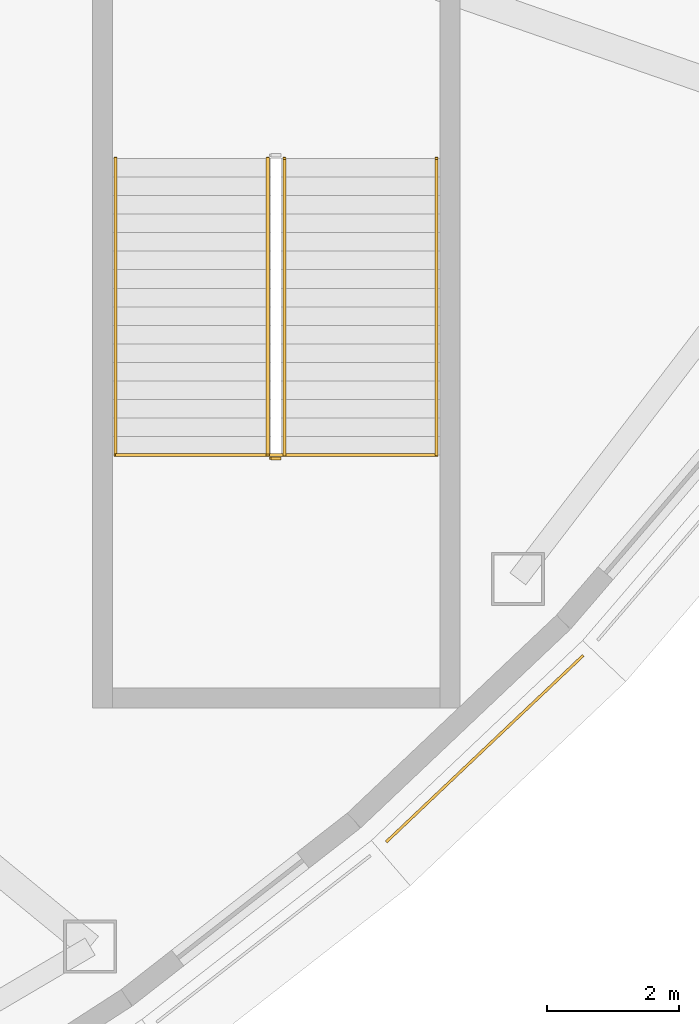
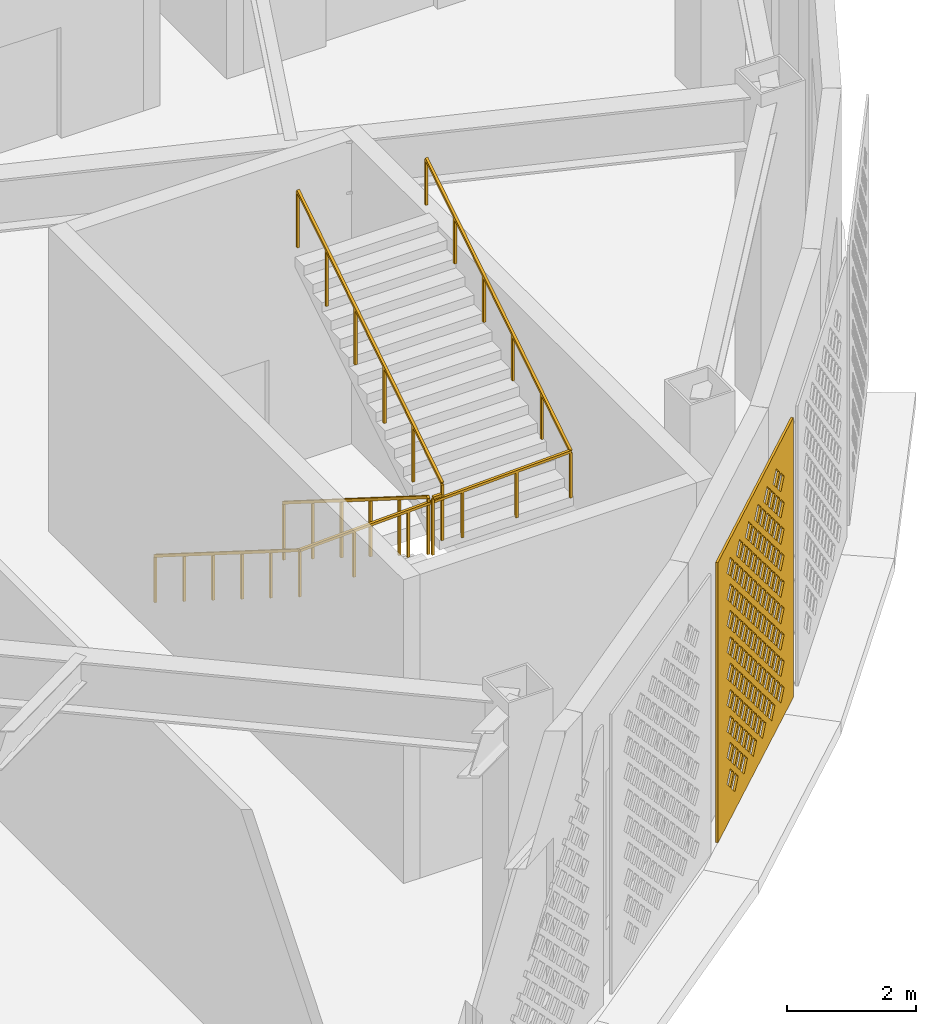
# One storey, part 70 of 74: 4 railings, 1 covering.
"""IFC4 building model written with IfcOpenShell, lengths in metres."""

import ifcopenshell
import ifcopenshell.guid

model = None  # the IFC model being written
_history = None  # IfcOwnerHistory: only IFC2X3 demands one
_inside = {}  # id of a spatial element -> (the spatial element, [elements in it])
_under = {}  # id of a project, library or spatial element -> (it, [spatial elements below it])
_declared = {}  # id of a project -> (the project, [libraries it declares])
_typed = {}  # id of a type object -> (the type object, [elements of that type])
_made_of = {}  # id of a material, layer set ... -> (it, [elements and type objects made of it])


def new_model(schema):
    """Start an empty IFC model of exactly this schema.

    Asked for "IFC4X3", IfcOpenShell would pick the latest addendum, in which some entities
    have other attributes; the version numbers below select the first issue.
    IFC2X3 requires an IfcOwnerHistory on every rooted entity: one is made here for all.
    """
    global model, _history
    if schema == "IFC4X3":
        model = ifcopenshell.file(schema_version=(4, 3, 0, 0))
    else:
        model = ifcopenshell.file(schema=schema)
    _inside.clear()
    _under.clear()
    _declared.clear()
    _typed.clear()
    _made_of.clear()
    _history = None
    if model.schema == "IFC2X3":
        org = make("IfcOrganization", Name="unknown")
        user = make(
            "IfcPersonAndOrganization",
            ThePerson=make("IfcPerson", FamilyName="unknown"),
            TheOrganization=org,
        )
        app = make(
            "IfcApplication",
            ApplicationDeveloper=org,
            Version="unknown",
            ApplicationFullName="unknown",
            ApplicationIdentifier="unknown",
        )
        _history = make(
            "IfcOwnerHistory",
            OwningUser=user,
            OwningApplication=app,
            ChangeAction="ADDED",
            CreationDate=0,
        )
    return model


def make(cls, **values):
    """One entity of the class cls with the attributes given. An attribute that is None is left unset."""
    return model.create_entity(
        cls, **{name: value for name, value in values.items() if value is not None}
    )


def rooted(cls, **values):
    """An entity with a GlobalId (a new one), such as an element, a storey or a relation."""
    return make(cls, GlobalId=ifcopenshell.guid.new(), OwnerHistory=_history, **values)


def si_unit(unit_type, name, prefix=None):
    """IfcSIUnit, for example si_unit("LENGTHUNIT", "METRE", prefix="MILLI")."""
    return make("IfcSIUnit", UnitType=unit_type, Prefix=prefix, Name=name)


def assignment(units):
    """IfcUnitAssignment: the units of a project."""
    return None if units is None else make("IfcUnitAssignment", Units=units)


def point(xyz):
    """IfcCartesianPoint."""
    return None if xyz is None else make("IfcCartesianPoint", Coordinates=xyz)


def direction(xyz):
    """IfcDirection."""
    return None if xyz is None else make("IfcDirection", DirectionRatios=xyz)


def frame(location, z_axis=None, x_axis=None):
    """IfcAxis2Placement3D, a coordinate frame: its origin and axes. An axis left out is left unset."""
    return make(
        "IfcAxis2Placement3D",
        Location=point(location),
        Axis=direction(z_axis),
        RefDirection=direction(x_axis),
    )


def frame_2d(location, x_axis=None):
    """IfcAxis2Placement2D, a coordinate frame in the plane: its origin and x axis."""
    return make(
        "IfcAxis2Placement2D", Location=point(location), RefDirection=direction(x_axis)
    )


def origin():
    """The frame at (0, 0, 0) with its axes left unset."""
    return frame((0.0, 0.0, 0.0))


def origin_2d():
    """The frame at (0, 0) in the plane with its x axis left unset."""
    return frame_2d((0.0, 0.0))


def place(relative_to, where):
    """IfcLocalPlacement: puts the frame where relative to a parent placement (None: the world)."""
    return make(
        "IfcLocalPlacement", PlacementRelTo=relative_to, RelativePlacement=where
    )


def context(
    kind, dimensions, precision=None, world=None, true_north=None, identifier=None
):
    """IfcGeometricRepresentationContext, for example the 3D "Model" context."""
    return make(
        "IfcGeometricRepresentationContext",
        ContextIdentifier=identifier,
        ContextType=kind,
        CoordinateSpaceDimension=dimensions,
        Precision=precision,
        WorldCoordinateSystem=world,
        TrueNorth=true_north,
    )


def subcontext(parent, identifier, kind, view, scale=None):
    """IfcGeometricRepresentationSubContext, for example "Body" below "Model"."""
    return make(
        "IfcGeometricRepresentationSubContext",
        ContextIdentifier=identifier,
        ContextType=kind,
        ParentContext=parent,
        TargetScale=scale,
        TargetView=view,
    )


def project(units=None, contexts=None):
    """IfcProject with its units and contexts."""
    return rooted(
        "IfcProject",
        Name="project",
        RepresentationContexts=contexts,
        UnitsInContext=assignment(units),
    )


def spatial(cls, under=None, at=None, **own):
    """A site, building, storey or space (cls), placed at a placement, below another one or the project."""
    s = rooted(cls, ObjectPlacement=at, **own)
    if under is not None:
        _under.setdefault(under.id(), (under, []))[1].append(s)
    return s


def polyline(points):
    """IfcPolyline through the points."""
    return make("IfcPolyline", Points=[point(p) for p in points])


def profile(cls, at=None, kind="AREA", **sizes):
    """A parametric profile (cls). Its sizes go by their IFC names, for example OverallWidth=200.0."""
    return make(cls, ProfileType=kind, Position=at, **sizes)


def rectangle(**sizes):
    """IfcRectangleProfileDef."""
    return profile("IfcRectangleProfileDef", **sizes)


def outline(outer, holes=None, kind="AREA"):
    """IfcArbitraryClosedProfileDef: a profile drawn as a closed curve; with holes, ...WithVoids."""
    if holes is None:
        return make("IfcArbitraryClosedProfileDef", ProfileType=kind, OuterCurve=outer)
    return make(
        "IfcArbitraryProfileDefWithVoids",
        ProfileType=kind,
        OuterCurve=outer,
        InnerCurves=holes,
    )


def extrude(swept, where, along, depth):
    """IfcExtrudedAreaSolid: the profile swept, set in the frame where, extruded along a direction by depth."""
    return make(
        "IfcExtrudedAreaSolid",
        SweptArea=swept,
        Position=where,
        ExtrudedDirection=direction(along),
        Depth=depth,
    )


def shape(context_of_items, identifier, shape_type, items):
    """IfcShapeRepresentation: the items that make up one representation, for example the "Body"."""
    return make(
        "IfcShapeRepresentation",
        ContextOfItems=context_of_items,
        RepresentationIdentifier=identifier,
        RepresentationType=shape_type,
        Items=items,
    )


def material(Name=None, Category=None):
    """IfcMaterial."""
    return make("IfcMaterial", Name=Name, Category=Category)


def layer(
    of_material, thickness, ventilated=None, Name=None, Category=None, Priority=None
):
    """IfcMaterialLayer: one layer of a wall or slab, of a material (None: an air gap)."""
    return make(
        "IfcMaterialLayer",
        Material=of_material,
        LayerThickness=thickness,
        IsVentilated=ventilated,
        Name=Name,
        Category=Category,
        Priority=Priority,
    )


def layer_set(layers, Name=None):
    """IfcMaterialLayerSet."""
    return make("IfcMaterialLayerSet", MaterialLayers=layers, LayerSetName=Name)


def made_of(thing, what):
    """Note that an element or type object is made of a material, layer set ...; save() writes the relation."""
    if what is not None:
        _made_of.setdefault(what.id(), (what, []))[1].append(thing)
    return thing


def type_object(cls, material=None, **own):
    """A type object (cls), such as IfcWallType, which elements share."""
    return made_of(rooted(cls, **own), material)


def element(
    cls,
    number,
    at=None,
    inside=None,
    cuts=None,
    type_object=None,
    material=None,
    context=None,
    identifier="Body",
    shape_type=None,
    held_by="IfcProductDefinitionShape",
    body=None,
    shapes=None,
    **own,
):
    """One element of the class cls, such as IfcWall. Its Tag is "e" and its number.

    at: its placement. inside: the storey or other place that contains it. cuts: it is an
    opening in that element (IfcRelVoidsElement). A single representation is given by context,
    identifier, shape_type and body (its items); several are given by shapes. held_by: the class
    of the entity that holds the representations. save() writes the other relations.
    """
    e = rooted(cls, Tag="e%d" % number, ObjectPlacement=at, **own)
    if body is not None:
        shapes = [shape(context, identifier, shape_type, body)]
    if shapes is not None:
        e.Representation = make(held_by, Representations=shapes)
    if inside is not None:
        _inside.setdefault(inside.id(), (inside, []))[1].append(e)
    if cuts is not None:
        rooted(
            "IfcRelVoidsElement", RelatingBuildingElement=cuts, RelatedOpeningElement=e
        )
    if type_object is not None:
        _typed.setdefault(type_object.id(), (type_object, []))[1].append(e)
    return made_of(e, material)


def aggregate(whole, parts):
    """IfcRelAggregates: a whole, such as a stair, and the parts it consists of."""
    return rooted("IfcRelAggregates", RelatingObject=whole, RelatedObjects=parts)


def save(model, path):
    """Write the relations noted so far, then the file.

    IfcRelAggregates (storeys below a building ...), IfcRelContainedInSpatialStructure (elements
    in a storey), IfcRelDefinesByType, IfcRelAssociatesMaterial and IfcRelDeclares: one each for
    every whole, place, type object, material and project.
    """
    for whole, parts in _under.values():
        aggregate(whole, parts)
    for where, things in _inside.values():
        rooted(
            "IfcRelContainedInSpatialStructure",
            RelatedElements=things,
            RelatingStructure=where,
        )
    for kind, things in _typed.values():
        rooted("IfcRelDefinesByType", RelatedObjects=things, RelatingType=kind)
    for what, things in _made_of.values():
        rooted("IfcRelAssociatesMaterial", RelatedObjects=things, RelatingMaterial=what)
    for by, libraries in _declared.values():
        rooted("IfcRelDeclares", RelatingContext=by, RelatedDefinitions=libraries)
    model.write(path)


model = new_model("IFC4")

# Units and contexts
model_context = context("Model", 3, precision=1e-05, world=origin(), true_north=direction((0.0, 1.0)))
body_context = subcontext(model_context, "Body", "Model", "MODEL_VIEW")
ifc_project = project(units=[si_unit("LENGTHUNIT", "METRE"), si_unit("AREAUNIT", "SQUARE_METRE"), si_unit("VOLUMEUNIT", "CUBIC_METRE"), si_unit("PLANEANGLEUNIT", "RADIAN"), si_unit("MASSUNIT", "GRAM", prefix="KILO")], contexts=[model_context])

# Site, building, storey
site_placement = place(None, origin())
site = spatial("IfcSite", under=ifc_project, at=site_placement, CompositionType="ELEMENT")
building_placement = place(site_placement, origin())
building = spatial("IfcBuilding", under=site, at=building_placement, Name="Noorbagh Ring Tower", CompositionType="ELEMENT")
storey_placement = place(building_placement, frame((0.0, 0.0, 13.5)))
storey = spatial("IfcBuildingStorey", under=building, at=storey_placement, Name="L02", CompositionType="ELEMENT", Elevation=13.5)

# Railings
ifc_material_1 = material(Name="Stainless steel", Category="steel")
railing_type_1 = type_object("IfcRailingType", Name="GND-STAIR-GUARD", PredefinedType="GUARDRAIL", material=ifc_material_1)
railing_1_placement = place(storey_placement, frame((37.14990234375, -16.39990234375, 0.176513671875)))
element("IfcRailing", 1, at=railing_1_placement, inside=storey, type_object=railing_type_1, Name="L02 ST-P6 stair guard", PredefinedType="GUARDRAIL", context=body_context, shape_type="SweptSolid", body=[
    extrude(rectangle(XDim=0.048095703125, YDim=0.048095703125, at=origin_2d()), frame((0.0, 0.0, 1.076171875), z_axis=(0.0, -0.845997938375, 0.533186166611), x_axis=(1.0, 0.0, 0.0)), (0.0, 0.0, 1.0), 5.29541015625),
    extrude(rectangle(XDim=0.0419921875, YDim=0.0419921875, at=origin_2d()), origin(), (0.0, 0.0, 1.0), 1.052001953125),
    extrude(rectangle(XDim=0.0419921875, YDim=0.0419921875, at=origin_2d()), frame((0.0, -0.89599609375, 0.564697265625)), (0.0, 0.0, 1.0), 1.052001953125),
    extrude(rectangle(XDim=0.0419921875, YDim=0.0419921875, at=origin_2d()), frame((0.0, -1.7919921875, 1.12939453125)), (0.0, 0.0, 1.0), 1.052001953125),
    extrude(rectangle(XDim=0.0419921875, YDim=0.0419921875, at=origin_2d()), frame((0.0, -2.68798828125, 1.694091796875)), (0.0, 0.0, 1.0), 1.052001953125),
    extrude(rectangle(XDim=0.0419921875, YDim=0.0419921875, at=origin_2d()), frame((0.0, -3.583984375, 2.2587890625)), (0.0, 0.0, 1.0), 1.052001953125),
    extrude(rectangle(XDim=0.0419921875, YDim=0.0419921875, at=origin_2d()), frame((0.0, -4.47998046875, 2.823486328125)), (0.0, 0.0, 1.0), 1.052001953125),
])
railing_2_placement = place(storey_placement, frame((37.199951171875, -20.929931640625, 3.0)))
element("IfcRailing", 2, at=railing_2_placement, inside=storey, type_object=railing_type_1, Name="L02 ST-P6 stair guard", PredefinedType="GUARDRAIL", context=body_context, shape_type="SweptSolid", body=[
    extrude(rectangle(XDim=0.048095703125, YDim=0.048095703125, at=origin_2d()), frame((0.0, 0.0, 1.076171875), z_axis=(1.0, 0.0, 0.0), x_axis=(0.0, 1.0, 0.0)), (0.0, 0.0, 1.0), 0.150146484375),
    extrude(rectangle(XDim=0.0419921875, YDim=0.0419921875, at=origin_2d()), origin(), (0.0, 0.0, 1.0), 1.052001953125),
])
railing_3_placement = place(storey_placement, frame((37.39990234375, -20.8798828125, 3.176513671875)))
element("IfcRailing", 3, at=railing_3_placement, inside=storey, type_object=railing_type_1, Name="L02 ST-P6 stair guard", PredefinedType="GUARDRAIL", context=body_context, shape_type="SweptSolid", body=[
    extrude(rectangle(XDim=0.048095703125, YDim=0.048095703125, at=origin_2d()), frame((0.0, 0.0, 1.076171875), z_axis=(0.0, 0.845997938375, 0.533186166611), x_axis=(-1.0, 0.0, 0.0)), (0.0, 0.0, 1.0), 5.29541015625),
    extrude(rectangle(XDim=0.0419921875, YDim=0.0419921875, at=origin_2d()), origin(), (0.0, 0.0, 1.0), 1.052001953125),
    extrude(rectangle(XDim=0.0419921875, YDim=0.0419921875, at=origin_2d()), frame((0.0, 0.89599609375, 0.564697265625)), (0.0, 0.0, 1.0), 1.052001953125),
    extrude(rectangle(XDim=0.0419921875, YDim=0.0419921875, at=origin_2d()), frame((0.0, 1.7919921875, 1.12939453125)), (0.0, 0.0, 1.0), 1.052001953125),
    extrude(rectangle(XDim=0.0419921875, YDim=0.0419921875, at=origin_2d()), frame((0.0, 2.68798828125, 1.694091796875)), (0.0, 0.0, 1.0), 1.052001953125),
    extrude(rectangle(XDim=0.0419921875, YDim=0.0419921875, at=origin_2d()), frame((0.0, 3.583984375, 2.2587890625)), (0.0, 0.0, 1.0), 1.052001953125),
    extrude(rectangle(XDim=0.0419921875, YDim=0.0419921875, at=origin_2d()), frame((0.0, 4.47998046875, 2.823486328125)), (0.0, 0.0, 1.0), 1.052001953125),
])
ifc_material_2 = material(Name="Stainless steel", Category="steel")
railing_type_2 = type_object("IfcRailingType", Name="GND-STAIR-HANDRAIL", PredefinedType="HANDRAIL", material=ifc_material_2)
railing_4_placement = place(storey_placement, frame((34.85009765625, -16.39990234375, 0.176513671875)))
element("IfcRailing", 4, at=railing_4_placement, inside=storey, type_object=railing_type_2, Name="L02 ST-P6 stair handrail", PredefinedType="HANDRAIL", context=body_context, shape_type="SweptSolid", body=[
    extrude(rectangle(XDim=0.048095703125, YDim=0.048095703125, at=origin_2d()), frame((0.0, 0.0, 0.8759765625), z_axis=(0.0, -0.845997938375, 0.533186166611), x_axis=(1.0, 0.0, 0.0)), (0.0, 0.0, 1.0), 5.29541015625),
    extrude(rectangle(XDim=0.048095703125, YDim=0.048095703125, at=origin_2d()), frame((0.0, -4.47998046875, 3.69921875), z_axis=(0.999338334855, 0.0, 0.036371589031), x_axis=(0.0, 1.0, 0.0)), (0.0, 0.0, 1.0), 4.85302734375),
    extrude(rectangle(XDim=0.048095703125, YDim=0.048095703125, at=origin_2d()), frame((4.849853515625, -4.47998046875, 3.8759765625), z_axis=(0.0, 0.845997938375, 0.533186166611), x_axis=(-1.0, 0.0, 0.0)), (0.0, 0.0, 1.0), 5.29541015625),
    extrude(rectangle(XDim=0.0419921875, YDim=0.0419921875, at=origin_2d()), origin(), (0.0, 0.0, 1.0), 0.851806640625),
    extrude(rectangle(XDim=0.0419921875, YDim=0.0419921875, at=origin_2d()), frame((0.0, -0.89599609375, 0.564697265625)), (0.0, 0.0, 1.0), 0.851806640625),
    extrude(rectangle(XDim=0.0419921875, YDim=0.0419921875, at=origin_2d()), frame((0.0, -1.7919921875, 1.12939453125)), (0.0, 0.0, 1.0), 0.851806640625),
    extrude(rectangle(XDim=0.0419921875, YDim=0.0419921875, at=origin_2d()), frame((0.0, -2.68798828125, 1.694091796875)), (0.0, 0.0, 1.0), 0.851806640625),
    extrude(rectangle(XDim=0.0419921875, YDim=0.0419921875, at=origin_2d()), frame((0.0, -3.583984375, 2.2587890625)), (0.0, 0.0, 1.0), 0.851806640625),
    extrude(rectangle(XDim=0.0419921875, YDim=0.0419921875, at=origin_2d()), frame((0.0, -4.47998046875, 2.823486328125)), (0.0, 0.0, 1.0), 0.851806640625),
    extrude(rectangle(XDim=0.0419921875, YDim=0.0419921875, at=origin_2d()), frame((0.969970703125, -4.47998046875, 2.85888671875)), (0.0, 0.0, 1.0), 0.851806640625),
    extrude(rectangle(XDim=0.0419921875, YDim=0.0419921875, at=origin_2d()), frame((1.93994140625, -4.47998046875, 2.89404296875)), (0.0, 0.0, 1.0), 0.851806640625),
    extrude(rectangle(XDim=0.0419921875, YDim=0.0419921875, at=origin_2d()), frame((2.909912109375, -4.47998046875, 2.929443359375)), (0.0, 0.0, 1.0), 0.851806640625),
    extrude(rectangle(XDim=0.0419921875, YDim=0.0419921875, at=origin_2d()), frame((3.8798828125, -4.47998046875, 2.964599609375)), (0.0, 0.0, 1.0), 0.851806640625),
    extrude(rectangle(XDim=0.0419921875, YDim=0.0419921875, at=origin_2d()), frame((4.849853515625, -4.47998046875, 3.0)), (0.0, 0.0, 1.0), 0.851806640625),
    extrude(rectangle(XDim=0.0419921875, YDim=0.0419921875, at=origin_2d()), frame((4.849853515625, -3.583984375, 3.564697265625)), (0.0, 0.0, 1.0), 0.851806640625),
    extrude(rectangle(XDim=0.0419921875, YDim=0.0419921875, at=origin_2d()), frame((4.849853515625, -2.68798828125, 4.12939453125)), (0.0, 0.0, 1.0), 0.851806640625),
    extrude(rectangle(XDim=0.0419921875, YDim=0.0419921875, at=origin_2d()), frame((4.849853515625, -1.7919921875, 4.694091796875)), (0.0, 0.0, 1.0), 0.851806640625),
    extrude(rectangle(XDim=0.0419921875, YDim=0.0419921875, at=origin_2d()), frame((4.849853515625, -0.89599609375, 5.2587890625)), (0.0, 0.0, 1.0), 0.851806640625),
    extrude(rectangle(XDim=0.0419921875, YDim=0.0419921875, at=origin_2d()), frame((4.849853515625, 0.0, 5.823486328125)), (0.0, 0.0, 1.0), 0.851806640625),
])

# Covering
ifc_material_3 = material(Name="Red sandstone jali", Category="masonry")
ifc_layer = layer(ifc_material_3, 0.0400390625)
ifc_layer_set = layer_set([ifc_layer], Name="Red sandstone jali")
covering_type = type_object("IfcCoveringType", Name="STY-JALI", PredefinedType="USERDEFINED", material=ifc_layer_set)
covering_placement = place(storey_placement, frame((38.953857421875, -26.739501953125, 0.449951171875), z_axis=(0.687531349275, -0.726154696855, 0.0), x_axis=(0.726154696855, 0.687531349275, 0.0)))
element("IfcCovering", 5, at=covering_placement, inside=storey, type_object=covering_type, Name="Jali screen", ObjectType="SCREEN", PredefinedType="USERDEFINED", context=body_context, shape_type="SweptSolid", body=[
    extrude(outline(polyline([(0.0, 0.0), (4.095947265625, 0.0), (4.095947265625, 5.300048828125), (0.0, 5.300048828125), (0.0, 0.0)]), holes=[polyline([(0.742919921875, 0.52490234375), (0.923095703125, 0.344970703125), (1.10302734375, 0.52490234375), (0.923095703125, 0.705078125), (0.742919921875, 0.52490234375)]), polyline([(1.242919921875, 0.52490234375), (1.423095703125, 0.344970703125), (1.60302734375, 0.52490234375), (1.423095703125, 0.705078125), (1.242919921875, 0.52490234375)]), polyline([(1.742919921875, 0.52490234375), (1.923095703125, 0.344970703125), (2.10302734375, 0.52490234375), (1.923095703125, 0.705078125), (1.742919921875, 0.52490234375)]), polyline([(2.242919921875, 0.52490234375), (2.423095703125, 0.344970703125), (2.60302734375, 0.52490234375), (2.423095703125, 0.705078125), (2.242919921875, 0.52490234375)]), polyline([(2.742919921875, 0.52490234375), (2.923095703125, 0.344970703125), (3.10302734375, 0.52490234375), (2.923095703125, 0.705078125), (2.742919921875, 0.52490234375)]), polyline([(3.242919921875, 0.52490234375), (3.423095703125, 0.344970703125), (3.60302734375, 0.52490234375), (3.423095703125, 0.705078125), (3.242919921875, 0.52490234375)]), polyline([(0.492919921875, 0.77490234375), (0.673095703125, 0.594970703125), (0.85302734375, 0.77490234375), (0.673095703125, 0.955078125), (0.492919921875, 0.77490234375)]), polyline([(0.992919921875, 0.77490234375), (1.173095703125, 0.594970703125), (1.35302734375, 0.77490234375), (1.173095703125, 0.955078125), (0.992919921875, 0.77490234375)]), polyline([(1.492919921875, 0.77490234375), (1.673095703125, 0.594970703125), (1.85302734375, 0.77490234375), (1.673095703125, 0.955078125), (1.492919921875, 0.77490234375)]), polyline([(1.992919921875, 0.77490234375), (2.173095703125, 0.594970703125), (2.35302734375, 0.77490234375), (2.173095703125, 0.955078125), (1.992919921875, 0.77490234375)]), polyline([(2.492919921875, 0.77490234375), (2.673095703125, 0.594970703125), (2.85302734375, 0.77490234375), (2.673095703125, 0.955078125), (2.492919921875, 0.77490234375)]), polyline([(2.992919921875, 0.77490234375), (3.173095703125, 0.594970703125), (3.35302734375, 0.77490234375), (3.173095703125, 0.955078125), (2.992919921875, 0.77490234375)]), polyline([(0.742919921875, 1.02490234375), (0.923095703125, 0.844970703125), (1.10302734375, 1.02490234375), (0.923095703125, 1.205078125), (0.742919921875, 1.02490234375)]), polyline([(1.242919921875, 1.02490234375), (1.423095703125, 0.844970703125), (1.60302734375, 1.02490234375), (1.423095703125, 1.205078125), (1.242919921875, 1.02490234375)]), polyline([(1.742919921875, 1.02490234375), (1.923095703125, 0.844970703125), (2.10302734375, 1.02490234375), (1.923095703125, 1.205078125), (1.742919921875, 1.02490234375)]), polyline([(2.242919921875, 1.02490234375), (2.423095703125, 0.844970703125), (2.60302734375, 1.02490234375), (2.423095703125, 1.205078125), (2.242919921875, 1.02490234375)]), polyline([(2.742919921875, 1.02490234375), (2.923095703125, 0.844970703125), (3.10302734375, 1.02490234375), (2.923095703125, 1.205078125), (2.742919921875, 1.02490234375)]), polyline([(3.242919921875, 1.02490234375), (3.423095703125, 0.844970703125), (3.60302734375, 1.02490234375), (3.423095703125, 1.205078125), (3.242919921875, 1.02490234375)]), polyline([(0.492919921875, 1.27490234375), (0.673095703125, 1.094970703125), (0.85302734375, 1.27490234375), (0.673095703125, 1.455078125), (0.492919921875, 1.27490234375)]), polyline([(0.992919921875, 1.27490234375), (1.173095703125, 1.094970703125), (1.35302734375, 1.27490234375), (1.173095703125, 1.455078125), (0.992919921875, 1.27490234375)]), polyline([(1.492919921875, 1.27490234375), (1.673095703125, 1.094970703125), (1.85302734375, 1.27490234375), (1.673095703125, 1.455078125), (1.492919921875, 1.27490234375)]), polyline([(1.992919921875, 1.27490234375), (2.173095703125, 1.094970703125), (2.35302734375, 1.27490234375), (2.173095703125, 1.455078125), (1.992919921875, 1.27490234375)]), polyline([(2.492919921875, 1.27490234375), (2.673095703125, 1.094970703125), (2.85302734375, 1.27490234375), (2.673095703125, 1.455078125), (2.492919921875, 1.27490234375)]), polyline([(2.992919921875, 1.27490234375), (3.173095703125, 1.094970703125), (3.35302734375, 1.27490234375), (3.173095703125, 1.455078125), (2.992919921875, 1.27490234375)]), polyline([(0.742919921875, 1.52490234375), (0.923095703125, 1.344970703125), (1.10302734375, 1.52490234375), (0.923095703125, 1.705078125), (0.742919921875, 1.52490234375)]), polyline([(1.242919921875, 1.52490234375), (1.423095703125, 1.344970703125), (1.60302734375, 1.52490234375), (1.423095703125, 1.705078125), (1.242919921875, 1.52490234375)]), polyline([(1.742919921875, 1.52490234375), (1.923095703125, 1.344970703125), (2.10302734375, 1.52490234375), (1.923095703125, 1.705078125), (1.742919921875, 1.52490234375)]), polyline([(2.242919921875, 1.52490234375), (2.423095703125, 1.344970703125), (2.60302734375, 1.52490234375), (2.423095703125, 1.705078125), (2.242919921875, 1.52490234375)]), polyline([(2.742919921875, 1.52490234375), (2.923095703125, 1.344970703125), (3.10302734375, 1.52490234375), (2.923095703125, 1.705078125), (2.742919921875, 1.52490234375)]), polyline([(3.242919921875, 1.52490234375), (3.423095703125, 1.344970703125), (3.60302734375, 1.52490234375), (3.423095703125, 1.705078125), (3.242919921875, 1.52490234375)]), polyline([(0.492919921875, 1.77490234375), (0.673095703125, 1.594970703125), (0.85302734375, 1.77490234375), (0.673095703125, 1.955078125), (0.492919921875, 1.77490234375)]), polyline([(0.992919921875, 1.77490234375), (1.173095703125, 1.594970703125), (1.35302734375, 1.77490234375), (1.173095703125, 1.955078125), (0.992919921875, 1.77490234375)]), polyline([(1.492919921875, 1.77490234375), (1.673095703125, 1.594970703125), (1.85302734375, 1.77490234375), (1.673095703125, 1.955078125), (1.492919921875, 1.77490234375)]), polyline([(1.992919921875, 1.77490234375), (2.173095703125, 1.594970703125), (2.35302734375, 1.77490234375), (2.173095703125, 1.955078125), (1.992919921875, 1.77490234375)]), polyline([(2.492919921875, 1.77490234375), (2.673095703125, 1.594970703125), (2.85302734375, 1.77490234375), (2.673095703125, 1.955078125), (2.492919921875, 1.77490234375)]), polyline([(2.992919921875, 1.77490234375), (3.173095703125, 1.594970703125), (3.35302734375, 1.77490234375), (3.173095703125, 1.955078125), (2.992919921875, 1.77490234375)]), polyline([(0.742919921875, 2.02490234375), (0.923095703125, 1.844970703125), (1.10302734375, 2.02490234375), (0.923095703125, 2.205078125), (0.742919921875, 2.02490234375)]), polyline([(1.242919921875, 2.02490234375), (1.423095703125, 1.844970703125), (1.60302734375, 2.02490234375), (1.423095703125, 2.205078125), (1.242919921875, 2.02490234375)]), polyline([(1.742919921875, 2.02490234375), (1.923095703125, 1.844970703125), (2.10302734375, 2.02490234375), (1.923095703125, 2.205078125), (1.742919921875, 2.02490234375)]), polyline([(2.242919921875, 2.02490234375), (2.423095703125, 1.844970703125), (2.60302734375, 2.02490234375), (2.423095703125, 2.205078125), (2.242919921875, 2.02490234375)]), polyline([(2.742919921875, 2.02490234375), (2.923095703125, 1.844970703125), (3.10302734375, 2.02490234375), (2.923095703125, 2.205078125), (2.742919921875, 2.02490234375)]), polyline([(3.242919921875, 2.02490234375), (3.423095703125, 1.844970703125), (3.60302734375, 2.02490234375), (3.423095703125, 2.205078125), (3.242919921875, 2.02490234375)]), polyline([(0.492919921875, 2.27490234375), (0.673095703125, 2.094970703125), (0.85302734375, 2.27490234375), (0.673095703125, 2.455078125), (0.492919921875, 2.27490234375)]), polyline([(0.992919921875, 2.27490234375), (1.173095703125, 2.094970703125), (1.35302734375, 2.27490234375), (1.173095703125, 2.455078125), (0.992919921875, 2.27490234375)]), polyline([(1.492919921875, 2.27490234375), (1.673095703125, 2.094970703125), (1.85302734375, 2.27490234375), (1.673095703125, 2.455078125), (1.492919921875, 2.27490234375)]), polyline([(1.992919921875, 2.27490234375), (2.173095703125, 2.094970703125), (2.35302734375, 2.27490234375), (2.173095703125, 2.455078125), (1.992919921875, 2.27490234375)]), polyline([(2.492919921875, 2.27490234375), (2.673095703125, 2.094970703125), (2.85302734375, 2.27490234375), (2.673095703125, 2.455078125), (2.492919921875, 2.27490234375)]), polyline([(2.992919921875, 2.27490234375), (3.173095703125, 2.094970703125), (3.35302734375, 2.27490234375), (3.173095703125, 2.455078125), (2.992919921875, 2.27490234375)]), polyline([(0.742919921875, 2.52490234375), (0.923095703125, 2.344970703125), (1.10302734375, 2.52490234375), (0.923095703125, 2.705078125), (0.742919921875, 2.52490234375)]), polyline([(1.242919921875, 2.52490234375), (1.423095703125, 2.344970703125), (1.60302734375, 2.52490234375), (1.423095703125, 2.705078125), (1.242919921875, 2.52490234375)]), polyline([(1.742919921875, 2.52490234375), (1.923095703125, 2.344970703125), (2.10302734375, 2.52490234375), (1.923095703125, 2.705078125), (1.742919921875, 2.52490234375)]), polyline([(2.242919921875, 2.52490234375), (2.423095703125, 2.344970703125), (2.60302734375, 2.52490234375), (2.423095703125, 2.705078125), (2.242919921875, 2.52490234375)]), polyline([(2.742919921875, 2.52490234375), (2.923095703125, 2.344970703125), (3.10302734375, 2.52490234375), (2.923095703125, 2.705078125), (2.742919921875, 2.52490234375)]), polyline([(3.242919921875, 2.52490234375), (3.423095703125, 2.344970703125), (3.60302734375, 2.52490234375), (3.423095703125, 2.705078125), (3.242919921875, 2.52490234375)]), polyline([(0.492919921875, 2.77490234375), (0.673095703125, 2.594970703125), (0.85302734375, 2.77490234375), (0.673095703125, 2.955078125), (0.492919921875, 2.77490234375)]), polyline([(0.992919921875, 2.77490234375), (1.173095703125, 2.594970703125), (1.35302734375, 2.77490234375), (1.173095703125, 2.955078125), (0.992919921875, 2.77490234375)]), polyline([(1.492919921875, 2.77490234375), (1.673095703125, 2.594970703125), (1.85302734375, 2.77490234375), (1.673095703125, 2.955078125), (1.492919921875, 2.77490234375)]), polyline([(1.992919921875, 2.77490234375), (2.173095703125, 2.594970703125), (2.35302734375, 2.77490234375), (2.173095703125, 2.955078125), (1.992919921875, 2.77490234375)]), polyline([(2.492919921875, 2.77490234375), (2.673095703125, 2.594970703125), (2.85302734375, 2.77490234375), (2.673095703125, 2.955078125), (2.492919921875, 2.77490234375)]), polyline([(2.992919921875, 2.77490234375), (3.173095703125, 2.594970703125), (3.35302734375, 2.77490234375), (3.173095703125, 2.955078125), (2.992919921875, 2.77490234375)]), polyline([(0.742919921875, 3.02490234375), (0.923095703125, 2.844970703125), (1.10302734375, 3.02490234375), (0.923095703125, 3.205078125), (0.742919921875, 3.02490234375)]), polyline([(1.242919921875, 3.02490234375), (1.423095703125, 2.844970703125), (1.60302734375, 3.02490234375), (1.423095703125, 3.205078125), (1.242919921875, 3.02490234375)]), polyline([(1.742919921875, 3.02490234375), (1.923095703125, 2.844970703125), (2.10302734375, 3.02490234375), (1.923095703125, 3.205078125), (1.742919921875, 3.02490234375)]), polyline([(2.242919921875, 3.02490234375), (2.423095703125, 2.844970703125), (2.60302734375, 3.02490234375), (2.423095703125, 3.205078125), (2.242919921875, 3.02490234375)]), polyline([(2.742919921875, 3.02490234375), (2.923095703125, 2.844970703125), (3.10302734375, 3.02490234375), (2.923095703125, 3.205078125), (2.742919921875, 3.02490234375)]), polyline([(3.242919921875, 3.02490234375), (3.423095703125, 2.844970703125), (3.60302734375, 3.02490234375), (3.423095703125, 3.205078125), (3.242919921875, 3.02490234375)]), polyline([(0.492919921875, 3.27490234375), (0.673095703125, 3.094970703125), (0.85302734375, 3.27490234375), (0.673095703125, 3.455078125), (0.492919921875, 3.27490234375)]), polyline([(0.992919921875, 3.27490234375), (1.173095703125, 3.094970703125), (1.35302734375, 3.27490234375), (1.173095703125, 3.455078125), (0.992919921875, 3.27490234375)]), polyline([(1.492919921875, 3.27490234375), (1.673095703125, 3.094970703125), (1.85302734375, 3.27490234375), (1.673095703125, 3.455078125), (1.492919921875, 3.27490234375)]), polyline([(1.992919921875, 3.27490234375), (2.173095703125, 3.094970703125), (2.35302734375, 3.27490234375), (2.173095703125, 3.455078125), (1.992919921875, 3.27490234375)]), polyline([(2.492919921875, 3.27490234375), (2.673095703125, 3.094970703125), (2.85302734375, 3.27490234375), (2.673095703125, 3.455078125), (2.492919921875, 3.27490234375)]), polyline([(2.992919921875, 3.27490234375), (3.173095703125, 3.094970703125), (3.35302734375, 3.27490234375), (3.173095703125, 3.455078125), (2.992919921875, 3.27490234375)]), polyline([(0.742919921875, 3.52490234375), (0.923095703125, 3.344970703125), (1.10302734375, 3.52490234375), (0.923095703125, 3.705078125), (0.742919921875, 3.52490234375)]), polyline([(1.242919921875, 3.52490234375), (1.423095703125, 3.344970703125), (1.60302734375, 3.52490234375), (1.423095703125, 3.705078125), (1.242919921875, 3.52490234375)]), polyline([(1.742919921875, 3.52490234375), (1.923095703125, 3.344970703125), (2.10302734375, 3.52490234375), (1.923095703125, 3.705078125), (1.742919921875, 3.52490234375)]), polyline([(2.242919921875, 3.52490234375), (2.423095703125, 3.344970703125), (2.60302734375, 3.52490234375), (2.423095703125, 3.705078125), (2.242919921875, 3.52490234375)]), polyline([(2.742919921875, 3.52490234375), (2.923095703125, 3.344970703125), (3.10302734375, 3.52490234375), (2.923095703125, 3.705078125), (2.742919921875, 3.52490234375)]), polyline([(3.242919921875, 3.52490234375), (3.423095703125, 3.344970703125), (3.60302734375, 3.52490234375), (3.423095703125, 3.705078125), (3.242919921875, 3.52490234375)]), polyline([(0.492919921875, 3.77490234375), (0.673095703125, 3.594970703125), (0.85302734375, 3.77490234375), (0.673095703125, 3.955078125), (0.492919921875, 3.77490234375)]), polyline([(0.992919921875, 3.77490234375), (1.173095703125, 3.594970703125), (1.35302734375, 3.77490234375), (1.173095703125, 3.955078125), (0.992919921875, 3.77490234375)]), polyline([(1.492919921875, 3.77490234375), (1.673095703125, 3.594970703125), (1.85302734375, 3.77490234375), (1.673095703125, 3.955078125), (1.492919921875, 3.77490234375)]), polyline([(1.992919921875, 3.77490234375), (2.173095703125, 3.594970703125), (2.35302734375, 3.77490234375), (2.173095703125, 3.955078125), (1.992919921875, 3.77490234375)]), polyline([(2.492919921875, 3.77490234375), (2.673095703125, 3.594970703125), (2.85302734375, 3.77490234375), (2.673095703125, 3.955078125), (2.492919921875, 3.77490234375)]), polyline([(2.992919921875, 3.77490234375), (3.173095703125, 3.594970703125), (3.35302734375, 3.77490234375), (3.173095703125, 3.955078125), (2.992919921875, 3.77490234375)]), polyline([(0.742919921875, 4.02490234375), (0.923095703125, 3.844970703125), (1.10302734375, 4.02490234375), (0.923095703125, 4.205078125), (0.742919921875, 4.02490234375)]), polyline([(1.242919921875, 4.02490234375), (1.423095703125, 3.844970703125), (1.60302734375, 4.02490234375), (1.423095703125, 4.205078125), (1.242919921875, 4.02490234375)]), polyline([(1.742919921875, 4.02490234375), (1.923095703125, 3.844970703125), (2.10302734375, 4.02490234375), (1.923095703125, 4.205078125), (1.742919921875, 4.02490234375)]), polyline([(2.242919921875, 4.02490234375), (2.423095703125, 3.844970703125), (2.60302734375, 4.02490234375), (2.423095703125, 4.205078125), (2.242919921875, 4.02490234375)]), polyline([(2.742919921875, 4.02490234375), (2.923095703125, 3.844970703125), (3.10302734375, 4.02490234375), (2.923095703125, 4.205078125), (2.742919921875, 4.02490234375)]), polyline([(3.242919921875, 4.02490234375), (3.423095703125, 3.844970703125), (3.60302734375, 4.02490234375), (3.423095703125, 4.205078125), (3.242919921875, 4.02490234375)]), polyline([(0.492919921875, 4.27490234375), (0.673095703125, 4.094970703125), (0.85302734375, 4.27490234375), (0.673095703125, 4.455078125), (0.492919921875, 4.27490234375)]), polyline([(0.992919921875, 4.27490234375), (1.173095703125, 4.094970703125), (1.35302734375, 4.27490234375), (1.173095703125, 4.455078125), (0.992919921875, 4.27490234375)]), polyline([(1.492919921875, 4.27490234375), (1.673095703125, 4.094970703125), (1.85302734375, 4.27490234375), (1.673095703125, 4.455078125), (1.492919921875, 4.27490234375)]), polyline([(1.992919921875, 4.27490234375), (2.173095703125, 4.094970703125), (2.35302734375, 4.27490234375), (2.173095703125, 4.455078125), (1.992919921875, 4.27490234375)]), polyline([(2.492919921875, 4.27490234375), (2.673095703125, 4.094970703125), (2.85302734375, 4.27490234375), (2.673095703125, 4.455078125), (2.492919921875, 4.27490234375)]), polyline([(2.992919921875, 4.27490234375), (3.173095703125, 4.094970703125), (3.35302734375, 4.27490234375), (3.173095703125, 4.455078125), (2.992919921875, 4.27490234375)]), polyline([(0.742919921875, 4.52490234375), (0.923095703125, 4.344970703125), (1.10302734375, 4.52490234375), (0.923095703125, 4.705078125), (0.742919921875, 4.52490234375)]), polyline([(1.242919921875, 4.52490234375), (1.423095703125, 4.344970703125), (1.60302734375, 4.52490234375), (1.423095703125, 4.705078125), (1.242919921875, 4.52490234375)]), polyline([(1.742919921875, 4.52490234375), (1.923095703125, 4.344970703125), (2.10302734375, 4.52490234375), (1.923095703125, 4.705078125), (1.742919921875, 4.52490234375)]), polyline([(2.242919921875, 4.52490234375), (2.423095703125, 4.344970703125), (2.60302734375, 4.52490234375), (2.423095703125, 4.705078125), (2.242919921875, 4.52490234375)]), polyline([(2.742919921875, 4.52490234375), (2.923095703125, 4.344970703125), (3.10302734375, 4.52490234375), (2.923095703125, 4.705078125), (2.742919921875, 4.52490234375)]), polyline([(3.242919921875, 4.52490234375), (3.423095703125, 4.344970703125), (3.60302734375, 4.52490234375), (3.423095703125, 4.705078125), (3.242919921875, 4.52490234375)]), polyline([(0.492919921875, 4.77490234375), (0.673095703125, 4.594970703125), (0.85302734375, 4.77490234375), (0.673095703125, 4.955078125), (0.492919921875, 4.77490234375)]), polyline([(0.992919921875, 4.77490234375), (1.173095703125, 4.594970703125), (1.35302734375, 4.77490234375), (1.173095703125, 4.955078125), (0.992919921875, 4.77490234375)]), polyline([(1.492919921875, 4.77490234375), (1.673095703125, 4.594970703125), (1.85302734375, 4.77490234375), (1.673095703125, 4.955078125), (1.492919921875, 4.77490234375)]), polyline([(1.992919921875, 4.77490234375), (2.173095703125, 4.594970703125), (2.35302734375, 4.77490234375), (2.173095703125, 4.955078125), (1.992919921875, 4.77490234375)]), polyline([(2.492919921875, 4.77490234375), (2.673095703125, 4.594970703125), (2.85302734375, 4.77490234375), (2.673095703125, 4.955078125), (2.492919921875, 4.77490234375)]), polyline([(2.992919921875, 4.77490234375), (3.173095703125, 4.594970703125), (3.35302734375, 4.77490234375), (3.173095703125, 4.955078125), (2.992919921875, 4.77490234375)])]), origin(), (0.0, 0.0, -1.0), 0.0400390625),
])

save(model, "model.ifc")
